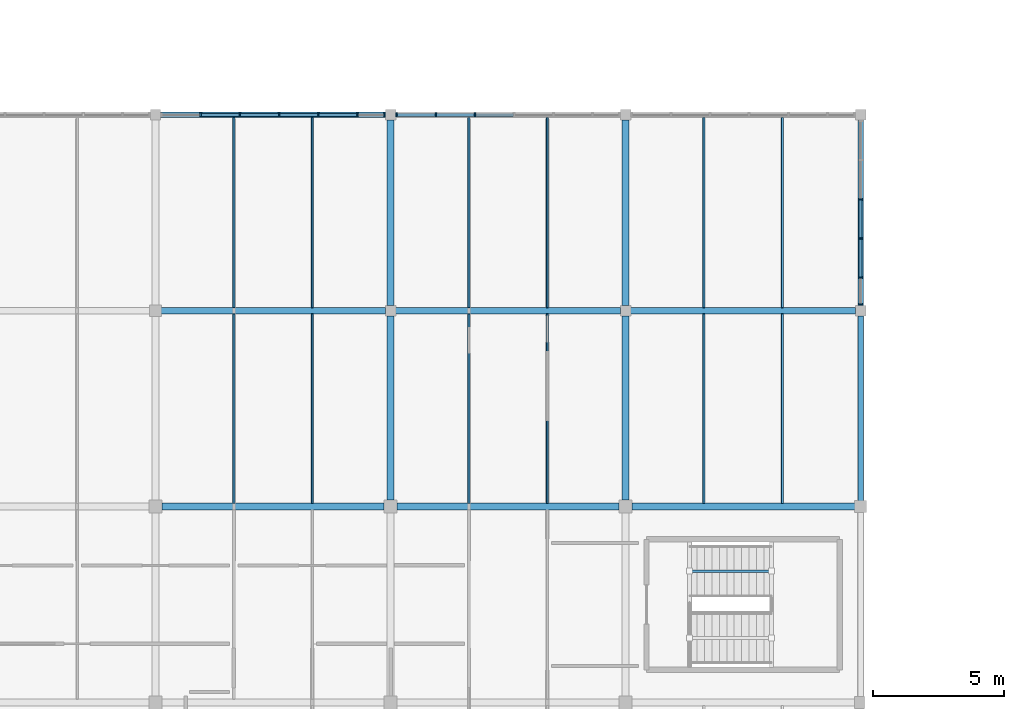
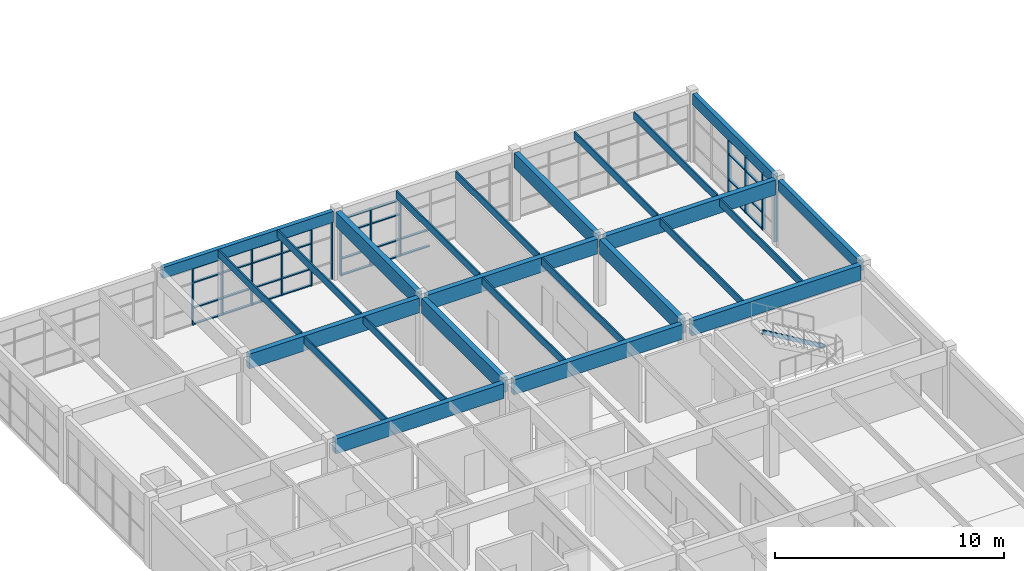
# One storey, part 35 of 81: 48 members, 25 beams, 3 elements without a shape of their own.
"""IFC4 building model written with IfcOpenShell, lengths in metres."""

from ifc_helpers import new_model, si_unit, direction, frame, origin, origin_2d, place, context, subcontext, project, spatial, rectangle, hollow_rectangle, extrude, material, layer, layer_set, material_profile, profile_set, type_object, element, aggregate, save


model = new_model("IFC4")

# Units and contexts
model_context = context("Model", 3, precision=1e-05, world=origin(), true_north=direction((0.0, 1.0)))
body_context = subcontext(model_context, "Body", "Model", "MODEL_VIEW")
ifc_project = project(units=[si_unit("LENGTHUNIT", "METRE"), si_unit("AREAUNIT", "SQUARE_METRE"), si_unit("VOLUMEUNIT", "CUBIC_METRE"), si_unit("PLANEANGLEUNIT", "RADIAN"), si_unit("MASSUNIT", "GRAM", prefix="KILO")], contexts=[model_context])

# Site, building, storey
site_placement = place(None, origin())
site = spatial("IfcSite", under=ifc_project, at=site_placement, CompositionType="ELEMENT")
building_placement = place(site_placement, origin())
building = spatial("IfcBuilding", under=site, at=building_placement, Name="Marnridge Secondary College", CompositionType="ELEMENT")
storey_placement = place(building_placement, frame((0.0, 0.0, 8.5)))
storey = spatial("IfcBuildingStorey", under=building, at=storey_placement, Name="L02", CompositionType="ELEMENT", Elevation=8.5)

# Beams
ifc_material_1 = material(Name="Glulam timber GL18", Category="wood")
ifc_material_profile_1 = material_profile(ifc_material_1, rectangle(XDim=0.215087890625, YDim=0.5849609375, at=origin_2d()), Name="GL18 215x585")
ifc_profile_set_1 = profile_set([ifc_material_profile_1], Name="Glulam timber GL18")
beam_type_1 = type_object("IfcBeamType", Name="BM-GL585-EXT", PredefinedType="SPANDREL", material=ifc_profile_set_1)
beam_1_placement = place(storey_placement, frame((90.0, 67.718994140625, 3.277587890625), z_axis=(0.0, 1.0, 0.0), x_axis=(-1.0, 0.0, 0.0)))
element("IfcBeam", 1, at=beam_1_placement, inside=storey, type_object=beam_type_1, Name="Beam BS-L02-0795", PredefinedType="SPANDREL", context=body_context, shape_type="SweptSolid", body=[
    extrude(rectangle(XDim=0.215087890625, YDim=0.5849609375, at=origin_2d()), origin(), (0.0, 0.0, 1.0), 7.0869140625),
])
beam_2_placement = place(storey_placement, frame((63.194091796875, 82.5, 3.347412109375), z_axis=(1.0, 0.0, 0.0), x_axis=(0.0, 1.0, 0.0)))
element("IfcBeam", 2, at=beam_2_placement, inside=storey, type_object=beam_type_1, Name="Beam BS-L02-0808", PredefinedType="SPANDREL", context=body_context, shape_type="SweptSolid", body=[
    extrude(rectangle(XDim=0.215087890625, YDim=0.5849609375, at=origin_2d()), origin(), (0.0, 0.0, 1.0), 8.61181640625),
])
beam_3_placement = place(storey_placement, frame((90.0, 75.194091796875, 3.347412109375), z_axis=(0.0, 1.0, 0.0), x_axis=(-1.0, 0.0, 0.0)))
element("IfcBeam", 3, at=beam_3_placement, inside=storey, type_object=beam_type_1, Name="Beam BS-L02-0813", PredefinedType="SPANDREL", context=body_context, shape_type="SweptSolid", body=[
    extrude(rectangle(XDim=0.215087890625, YDim=0.5849609375, at=origin_2d()), origin(), (0.0, 0.0, 1.0), 7.11181640625),
])
ifc_material_2 = material(Name="Glulam timber GL18", Category="wood")
ifc_material_profile_2 = material_profile(ifc_material_2, rectangle(XDim=0.260009765625, YDim=0.7900390625, at=origin_2d()), Name="GL18 260x790")
ifc_profile_set_2 = profile_set([ifc_material_profile_2], Name="Glulam timber GL18")
beam_type_2 = type_object("IfcBeamType", Name="BM-GL790-INT", PredefinedType="BEAM", material=ifc_profile_set_2)
beam_4_placement = place(storey_placement, frame((63.243896484375, 67.5, 3.175048828125), z_axis=(1.0, 0.0, 0.0), x_axis=(0.0, 1.0, 0.0)))
element("IfcBeam", 4, at=beam_4_placement, inside=storey, type_object=beam_type_2, Name="Beam B-L02-0774", PredefinedType="BEAM", context=body_context, shape_type="SweptSolid", body=[
    extrude(rectangle(XDim=0.260009765625, YDim=0.7900390625, at=origin_2d()), origin(), (0.0, 0.0, 1.0), 8.51220703125),
])
beam_5_placement = place(storey_placement, frame((63.218994140625, 75.0, 3.175048828125), z_axis=(1.0, 0.0, 0.0), x_axis=(0.0, 1.0, 0.0)))
element("IfcBeam", 5, at=beam_5_placement, inside=storey, type_object=beam_type_2, Name="Beam B-L02-0776", PredefinedType="BEAM", context=body_context, shape_type="SweptSolid", body=[
    extrude(rectangle(XDim=0.260009765625, YDim=0.7900390625, at=origin_2d()), origin(), (0.0, 0.0, 1.0), 8.5869140625),
])
beam_6_placement = place(storey_placement, frame((72.0, 67.743896484375, 3.175048828125), z_axis=(0.0, 1.0, 0.0), x_axis=(-1.0, 0.0, 0.0)))
element("IfcBeam", 6, at=beam_6_placement, inside=storey, type_object=beam_type_2, Name="Beam B-L02-0777", PredefinedType="BEAM", context=body_context, shape_type="SweptSolid", body=[
    extrude(rectangle(XDim=0.260009765625, YDim=0.7900390625, at=origin_2d()), origin(), (0.0, 0.0, 1.0), 7.06201171875),
])
beam_7_placement = place(storey_placement, frame((72.243896484375, 67.5, 3.175048828125), z_axis=(1.0, 0.0, 0.0), x_axis=(0.0, 1.0, 0.0)))
element("IfcBeam", 7, at=beam_7_placement, inside=storey, type_object=beam_type_2, Name="Beam B-L02-0783", PredefinedType="BEAM", context=body_context, shape_type="SweptSolid", body=[
    extrude(rectangle(XDim=0.260009765625, YDim=0.7900390625, at=origin_2d()), origin(), (0.0, 0.0, 1.0), 8.51220703125),
])
beam_8_placement = place(storey_placement, frame((72.194091796875, 75.0, 3.175048828125), z_axis=(1.0, 0.0, 0.0), x_axis=(0.0, 1.0, 0.0)))
element("IfcBeam", 8, at=beam_8_placement, inside=storey, type_object=beam_type_2, Name="Beam B-L02-0785", PredefinedType="BEAM", context=body_context, shape_type="SweptSolid", body=[
    extrude(rectangle(XDim=0.260009765625, YDim=0.7900390625, at=origin_2d()), origin(), (0.0, 0.0, 1.0), 8.61181640625),
])
beam_9_placement = place(storey_placement, frame((81.0, 67.743896484375, 3.175048828125), z_axis=(0.0, 1.0, 0.0), x_axis=(-1.0, 0.0, 0.0)))
element("IfcBeam", 9, at=beam_9_placement, inside=storey, type_object=beam_type_2, Name="Beam B-L02-0786", PredefinedType="BEAM", context=body_context, shape_type="SweptSolid", body=[
    extrude(rectangle(XDim=0.260009765625, YDim=0.7900390625, at=origin_2d()), origin(), (0.0, 0.0, 1.0), 7.06201171875),
])
beam_10_placement = place(storey_placement, frame((81.243896484375, 67.5, 3.175048828125), z_axis=(1.0, 0.0, 0.0), x_axis=(0.0, 1.0, 0.0)))
element("IfcBeam", 10, at=beam_10_placement, inside=storey, type_object=beam_type_2, Name="Beam B-L02-0792", PredefinedType="BEAM", context=body_context, shape_type="SweptSolid", body=[
    extrude(rectangle(XDim=0.260009765625, YDim=0.7900390625, at=origin_2d()), origin(), (0.0, 0.0, 1.0), 8.537109375),
])
beam_11_placement = place(storey_placement, frame((81.194091796875, 75.0, 3.175048828125), z_axis=(1.0, 0.0, 0.0), x_axis=(0.0, 1.0, 0.0)))
element("IfcBeam", 11, at=beam_11_placement, inside=storey, type_object=beam_type_2, Name="Beam B-L02-0794", PredefinedType="BEAM", context=body_context, shape_type="SweptSolid", body=[
    extrude(rectangle(XDim=0.260009765625, YDim=0.7900390625, at=origin_2d()), origin(), (0.0, 0.0, 1.0), 8.61181640625),
])
for number, where, z_axis, x_axis, name in (
    (12, (72.0, 75.194091796875, 3.2451171875), (0.0, 1.0, 0.0), (-1.0, 0.0, 0.0), "Beam B-L02-0809"),
    (13, (81.0, 75.194091796875, 3.2451171875), (0.0, 1.0, 0.0), (-1.0, 0.0, 0.0), "Beam B-L02-0811"),
):
    element("IfcBeam", number, at=place(storey_placement, frame(where, z_axis=z_axis, x_axis=x_axis)), inside=storey, type_object=beam_type_2, Name=name, PredefinedType="BEAM", context=body_context, shape_type="SweptSolid", body=[
        extrude(rectangle(XDim=0.260009765625, YDim=0.7900390625, at=origin_2d()), origin(), (0.0, 0.0, 1.0), 7.11181640625),
    ])
ifc_material_3 = material(Name="Engineered timber LVL E13.2", Category="wood")
ifc_material_profile_3 = material_profile(ifc_material_3, rectangle(XDim=0.074951171875, YDim=0.39990234375, at=origin_2d()), Name="LVL 75x400")
ifc_profile_set_3 = profile_set([ifc_material_profile_3], Name="Engineered timber LVL E13.2")
beam_type_3 = type_object("IfcBeamType", Name="BM-LVL400-INT", PredefinedType="JOIST", material=ifc_profile_set_3)
for number, where, z_axis, x_axis, name in (
    (14, (66.0, 67.6240234375, 3.3701171875), (0.0, 1.0, 0.0), (-1.0, 0.0, 0.0), "Beam BJ-L02-0825"),
    (15, (69.0, 67.6240234375, 3.3701171875), (0.0, 1.0, 0.0), (-1.0, 0.0, 0.0), "Beam BJ-L02-0826"),
    (16, (75.0, 67.6240234375, 3.3701171875), (0.0, 1.0, 0.0), (-1.0, 0.0, 0.0), "Beam BJ-L02-0833"),
    (17, (78.0, 67.6240234375, 3.3701171875), (0.0, 1.0, 0.0), (-1.0, 0.0, 0.0), "Beam BJ-L02-0834"),
    (18, (84.0, 67.6240234375, 3.3701171875), (0.0, 1.0, 0.0), (-1.0, 0.0, 0.0), "Beam BJ-L02-0839"),
    (19, (87.0, 67.6240234375, 3.3701171875), (0.0, 1.0, 0.0), (-1.0, 0.0, 0.0), "Beam BJ-L02-0840"),
):
    element("IfcBeam", number, at=place(storey_placement, frame(where, z_axis=z_axis, x_axis=x_axis)), inside=storey, type_object=beam_type_3, Name=name, PredefinedType="JOIST", context=body_context, shape_type="SweptSolid", body=[
        extrude(rectangle(XDim=0.074951171875, YDim=0.39990234375, at=origin_2d()), origin(), (0.0, 0.0, 1.0), 7.251953125),
    ])
for number, where, z_axis, x_axis, name in (
    (20, (66.0, 75.1240234375, 3.43994140625), (0.0, 1.0, 0.0), (-1.0, 0.0, 0.0), "Beam BJ-L02-0851"),
    (21, (69.0, 75.1240234375, 3.43994140625), (0.0, 1.0, 0.0), (-1.0, 0.0, 0.0), "Beam BJ-L02-0852"),
    (22, (75.0, 75.1240234375, 3.43994140625), (0.0, 1.0, 0.0), (-1.0, 0.0, 0.0), "Beam BJ-L02-0853"),
    (23, (78.0, 75.1240234375, 3.43994140625), (0.0, 1.0, 0.0), (-1.0, 0.0, 0.0), "Beam BJ-L02-0854"),
    (24, (84.0, 75.1240234375, 3.43994140625), (0.0, 1.0, 0.0), (-1.0, 0.0, 0.0), "Beam BJ-L02-0855"),
    (25, (87.0, 75.1240234375, 3.43994140625), (0.0, 1.0, 0.0), (-1.0, 0.0, 0.0), "Beam BJ-L02-0856"),
):
    element("IfcBeam", number, at=place(storey_placement, frame(where, z_axis=z_axis, x_axis=x_axis)), inside=storey, type_object=beam_type_3, Name=name, PredefinedType="JOIST", context=body_context, shape_type="SweptSolid", body=[
        extrude(rectangle(XDim=0.074951171875, YDim=0.39990234375, at=origin_2d()), origin(), (0.0, 0.0, 1.0), 7.2744140625),
    ])

# Curtain wall, members
ifc_material_4 = material(Name="Thermally broken aluminium and low-E glazing", Category="aluminium")
ifc_layer = layer(ifc_material_4, 0.159912109375)
ifc_layer_set = layer_set([ifc_layer], Name="CW-MOD-1500")
curtain_wall_type = type_object("IfcCurtainWallType", Name="CW-MOD-1500", PredefinedType="NOTDEFINED", material=ifc_layer_set)
curtain_wall_1_placement = place(storey_placement, origin())
curtain_wall_1 = element("IfcCurtainWall", 26, at=curtain_wall_1_placement, inside=storey, type_object=curtain_wall_type, Name="Unitised curtain wall CW-L02-074", PredefinedType="NOTDEFINED")
ifc_material_5 = material(Name="Anodised aluminium 6063-T6", Category="aluminium")
ifc_material_profile_4 = material_profile(ifc_material_5, rectangle(XDim=0.06005859375, YDim=0.159912109375, at=origin_2d()), Name="ALU 60x160")
ifc_profile_set_4 = profile_set([ifc_material_profile_4], Name="Anodised aluminium 6063-T6")
member_type_1 = type_object("IfcMemberType", Name="CWM-ALU160", PredefinedType="MULLION", material=ifc_profile_set_4)
member_1_placement = place(storey_placement, frame((64.73388671875, 82.5, 0.0), z_axis=(0.0, 0.0, 1.0), x_axis=(1.0, 0.0, 0.0)))
member_1 = element("IfcMember", 27, at=member_1_placement, type_object=member_type_1, Name="CW-L02-074 mullion 2", PredefinedType="MULLION", context=body_context, shape_type="SweptSolid", body=[
    extrude(rectangle(XDim=0.06005859375, YDim=0.159912109375, at=origin_2d()), origin(), (0.0, 0.0, 1.0), 3.047119140625),
])
member_2_placement = place(storey_placement, frame((66.23388671875, 82.5, 0.0), z_axis=(0.0, 0.0, 1.0), x_axis=(1.0, 0.0, 0.0)))
member_2 = element("IfcMember", 28, at=member_2_placement, type_object=member_type_1, Name="CW-L02-074 mullion 3", PredefinedType="MULLION", context=body_context, shape_type="SweptSolid", body=[
    extrude(rectangle(XDim=0.06005859375, YDim=0.159912109375, at=origin_2d()), origin(), (0.0, 0.0, 1.0), 3.047119140625),
])
member_3_placement = place(storey_placement, frame((67.73388671875, 82.5, 0.0), z_axis=(0.0, 0.0, 1.0), x_axis=(1.0, 0.0, 0.0)))
member_3 = element("IfcMember", 29, at=member_3_placement, type_object=member_type_1, Name="CW-L02-074 mullion 4", PredefinedType="MULLION", context=body_context, shape_type="SweptSolid", body=[
    extrude(rectangle(XDim=0.06005859375, YDim=0.159912109375, at=origin_2d()), origin(), (0.0, 0.0, 1.0), 3.047119140625),
])
member_4_placement = place(storey_placement, frame((69.23388671875, 82.5, 0.0), z_axis=(0.0, 0.0, 1.0), x_axis=(1.0, 0.0, 0.0)))
member_4 = element("IfcMember", 30, at=member_4_placement, type_object=member_type_1, Name="CW-L02-074 mullion 5", PredefinedType="MULLION", context=body_context, shape_type="SweptSolid", body=[
    extrude(rectangle(XDim=0.06005859375, YDim=0.159912109375, at=origin_2d()), origin(), (0.0, 0.0, 1.0), 3.047119140625),
])
member_5_placement = place(storey_placement, frame((70.73388671875, 82.5, 0.0), z_axis=(0.0, 0.0, 1.0), x_axis=(1.0, 0.0, 0.0)))
member_5 = element("IfcMember", 31, at=member_5_placement, type_object=member_type_1, Name="CW-L02-074 mullion 6", PredefinedType="MULLION", context=body_context, shape_type="SweptSolid", body=[
    extrude(rectangle(XDim=0.06005859375, YDim=0.159912109375, at=origin_2d()), origin(), (0.0, 0.0, 1.0), 3.047119140625),
])
member_6_placement = place(storey_placement, frame((71.76611328125, 82.5, 0.0), z_axis=(0.0, 0.0, 1.0), x_axis=(1.0, 0.0, 0.0)))
member_6 = element("IfcMember", 32, at=member_6_placement, type_object=member_type_1, Name="CW-L02-074 mullion 7", PredefinedType="MULLION", context=body_context, shape_type="SweptSolid", body=[
    extrude(rectangle(XDim=0.06005859375, YDim=0.159912109375, at=origin_2d()), origin(), (0.0, 0.0, 1.0), 3.047119140625),
])

curtain_wall_2_placement = place(storey_placement, origin())
curtain_wall_2 = element("IfcCurtainWall", 33, at=curtain_wall_2_placement, inside=storey, type_object=curtain_wall_type, Name="Unitised curtain wall CW-L02-075", PredefinedType="NOTDEFINED")
member_7_placement = place(storey_placement, frame((72.23388671875, 82.5, 0.0), z_axis=(0.0, 0.0, 1.0), x_axis=(1.0, 0.0, 0.0)))
member_7 = element("IfcMember", 34, at=member_7_placement, type_object=member_type_1, Name="CW-L02-075 mullion 1", PredefinedType="MULLION", context=body_context, shape_type="SweptSolid", body=[
    extrude(rectangle(XDim=0.06005859375, YDim=0.159912109375, at=origin_2d()), origin(), (0.0, 0.0, 1.0), 3.047119140625),
])
member_8_placement = place(storey_placement, frame((73.73388671875, 82.5, 0.0), z_axis=(0.0, 0.0, 1.0), x_axis=(1.0, 0.0, 0.0)))
member_8 = element("IfcMember", 35, at=member_8_placement, type_object=member_type_1, Name="CW-L02-075 mullion 2", PredefinedType="MULLION", context=body_context, shape_type="SweptSolid", body=[
    extrude(rectangle(XDim=0.06005859375, YDim=0.159912109375, at=origin_2d()), origin(), (0.0, 0.0, 1.0), 3.047119140625),
])
member_9_placement = place(storey_placement, frame((75.23388671875, 82.5, 0.0), z_axis=(0.0, 0.0, 1.0), x_axis=(1.0, 0.0, 0.0)))
member_9 = element("IfcMember", 36, at=member_9_placement, type_object=member_type_1, Name="CW-L02-075 mullion 3", PredefinedType="MULLION", context=body_context, shape_type="SweptSolid", body=[
    extrude(rectangle(XDim=0.06005859375, YDim=0.159912109375, at=origin_2d()), origin(), (0.0, 0.0, 1.0), 3.047119140625),
])

curtain_wall_3_placement = place(storey_placement, origin())
curtain_wall_3 = element("IfcCurtainWall", 37, at=curtain_wall_3_placement, inside=storey, type_object=curtain_wall_type, Name="Unitised curtain wall CW-L02-077", PredefinedType="NOTDEFINED")
member_10_placement = place(storey_placement, frame((90.0, 79.26611328125, 0.0), z_axis=(0.0, 0.0, 1.0), x_axis=(0.0, -1.0, 0.0)))
member_10 = element("IfcMember", 38, at=member_10_placement, type_object=member_type_1, Name="CW-L02-077 mullion 3", PredefinedType="MULLION", context=body_context, shape_type="SweptSolid", body=[
    extrude(rectangle(XDim=0.06005859375, YDim=0.159912109375, at=origin_2d()), origin(), (0.0, 0.0, 1.0), 3.047119140625),
])
member_11_placement = place(storey_placement, frame((90.0, 77.76611328125, 0.0), z_axis=(0.0, 0.0, 1.0), x_axis=(0.0, -1.0, 0.0)))
member_11 = element("IfcMember", 39, at=member_11_placement, type_object=member_type_1, Name="CW-L02-077 mullion 4", PredefinedType="MULLION", context=body_context, shape_type="SweptSolid", body=[
    extrude(rectangle(XDim=0.06005859375, YDim=0.159912109375, at=origin_2d()), origin(), (0.0, 0.0, 1.0), 3.047119140625),
])
member_12_placement = place(storey_placement, frame((90.0, 76.26611328125, 0.0), z_axis=(0.0, 0.0, 1.0), x_axis=(0.0, -1.0, 0.0)))
member_12 = element("IfcMember", 40, at=member_12_placement, type_object=member_type_1, Name="CW-L02-077 mullion 5", PredefinedType="MULLION", context=body_context, shape_type="SweptSolid", body=[
    extrude(rectangle(XDim=0.06005859375, YDim=0.159912109375, at=origin_2d()), origin(), (0.0, 0.0, 1.0), 3.047119140625),
])
member_13_placement = place(storey_placement, frame((90.0, 75.23388671875, 0.0), z_axis=(0.0, 0.0, 1.0), x_axis=(0.0, -1.0, 0.0)))
member_13 = element("IfcMember", 41, at=member_13_placement, type_object=member_type_1, Name="CW-L02-077 mullion 6", PredefinedType="MULLION", context=body_context, shape_type="SweptSolid", body=[
    extrude(rectangle(XDim=0.06005859375, YDim=0.159912109375, at=origin_2d()), origin(), (0.0, 0.0, 1.0), 3.047119140625),
])

# Member
ifc_material_6 = material(Name="Anodised aluminium 6063-T6", Category="aluminium")
ifc_material_profile_5 = material_profile(ifc_material_6, rectangle(XDim=0.06005859375, YDim=0.1201171875, at=origin_2d()), Name="ALU 60x120")
ifc_profile_set_5 = profile_set([ifc_material_profile_5], Name="Anodised aluminium 6063-T6")
member_type_2 = type_object("IfcMemberType", Name="CWT-ALU120", PredefinedType="USERDEFINED", material=ifc_profile_set_5)
member_14_placement = place(storey_placement, frame((64.763916015625, 82.5, 0.030029296875), z_axis=(1.0, 0.0, 0.0), x_axis=(0.0, 0.0, 1.0)))
member_14 = element("IfcMember", 42, at=member_14_placement, type_object=member_type_2, Name="CW-L02-074 transom 2.1", ObjectType="TRANSOM", PredefinedType="USERDEFINED", context=body_context, shape_type="SweptSolid", body=[
    extrude(rectangle(XDim=0.06005859375, YDim=0.1201171875, at=origin_2d()), origin(), (0.0, 0.0, 1.0), 1.440185546875),
])

member_15_placement = place(storey_placement, frame((64.763916015625, 82.5, 0.89990234375), z_axis=(1.0, 0.0, 0.0), x_axis=(0.0, 0.0, 1.0)))
member_15 = element("IfcMember", 43, at=member_15_placement, type_object=member_type_2, Name="CW-L02-074 transom 2.2", ObjectType="TRANSOM", PredefinedType="USERDEFINED", context=body_context, shape_type="SweptSolid", body=[
    extrude(rectangle(XDim=0.06005859375, YDim=0.1201171875, at=origin_2d()), origin(), (0.0, 0.0, 1.0), 1.440185546875),
])

member_16_placement = place(storey_placement, frame((64.763916015625, 82.5, 2.25), z_axis=(1.0, 0.0, 0.0), x_axis=(0.0, 0.0, 1.0)))
member_16 = element("IfcMember", 44, at=member_16_placement, type_object=member_type_2, Name="CW-L02-074 transom 2.3", ObjectType="TRANSOM", PredefinedType="USERDEFINED", context=body_context, shape_type="SweptSolid", body=[
    extrude(rectangle(XDim=0.06005859375, YDim=0.1201171875, at=origin_2d()), origin(), (0.0, 0.0, 1.0), 1.440185546875),
])

member_17_placement = place(storey_placement, frame((64.763916015625, 82.5, 3.01708984375), z_axis=(1.0, 0.0, 0.0), x_axis=(0.0, 0.0, 1.0)))
member_17 = element("IfcMember", 45, at=member_17_placement, type_object=member_type_2, Name="CW-L02-074 transom 2.4", ObjectType="TRANSOM", PredefinedType="USERDEFINED", context=body_context, shape_type="SweptSolid", body=[
    extrude(rectangle(XDim=0.06005859375, YDim=0.1201171875, at=origin_2d()), origin(), (0.0, 0.0, 1.0), 1.440185546875),
])

member_18_placement = place(storey_placement, frame((66.263916015625, 82.5, 0.030029296875), z_axis=(1.0, 0.0, 0.0), x_axis=(0.0, 0.0, 1.0)))
member_18 = element("IfcMember", 46, at=member_18_placement, type_object=member_type_2, Name="CW-L02-074 transom 3.1", ObjectType="TRANSOM", PredefinedType="USERDEFINED", context=body_context, shape_type="SweptSolid", body=[
    extrude(rectangle(XDim=0.06005859375, YDim=0.1201171875, at=origin_2d()), origin(), (0.0, 0.0, 1.0), 1.440185546875),
])

member_19_placement = place(storey_placement, frame((66.263916015625, 82.5, 0.89990234375), z_axis=(1.0, 0.0, 0.0), x_axis=(0.0, 0.0, 1.0)))
member_19 = element("IfcMember", 47, at=member_19_placement, type_object=member_type_2, Name="CW-L02-074 transom 3.2", ObjectType="TRANSOM", PredefinedType="USERDEFINED", context=body_context, shape_type="SweptSolid", body=[
    extrude(rectangle(XDim=0.06005859375, YDim=0.1201171875, at=origin_2d()), origin(), (0.0, 0.0, 1.0), 1.440185546875),
])

member_20_placement = place(storey_placement, frame((66.263916015625, 82.5, 2.25), z_axis=(1.0, 0.0, 0.0), x_axis=(0.0, 0.0, 1.0)))
member_20 = element("IfcMember", 48, at=member_20_placement, type_object=member_type_2, Name="CW-L02-074 transom 3.3", ObjectType="TRANSOM", PredefinedType="USERDEFINED", context=body_context, shape_type="SweptSolid", body=[
    extrude(rectangle(XDim=0.06005859375, YDim=0.1201171875, at=origin_2d()), origin(), (0.0, 0.0, 1.0), 1.440185546875),
])

member_21_placement = place(storey_placement, frame((66.263916015625, 82.5, 3.01708984375), z_axis=(1.0, 0.0, 0.0), x_axis=(0.0, 0.0, 1.0)))
member_21 = element("IfcMember", 49, at=member_21_placement, type_object=member_type_2, Name="CW-L02-074 transom 3.4", ObjectType="TRANSOM", PredefinedType="USERDEFINED", context=body_context, shape_type="SweptSolid", body=[
    extrude(rectangle(XDim=0.06005859375, YDim=0.1201171875, at=origin_2d()), origin(), (0.0, 0.0, 1.0), 1.440185546875),
])

member_22_placement = place(storey_placement, frame((67.763916015625, 82.5, 0.030029296875), z_axis=(1.0, 0.0, 0.0), x_axis=(0.0, 0.0, 1.0)))
member_22 = element("IfcMember", 50, at=member_22_placement, type_object=member_type_2, Name="CW-L02-074 transom 4.1", ObjectType="TRANSOM", PredefinedType="USERDEFINED", context=body_context, shape_type="SweptSolid", body=[
    extrude(rectangle(XDim=0.06005859375, YDim=0.1201171875, at=origin_2d()), origin(), (0.0, 0.0, 1.0), 1.440185546875),
])

member_23_placement = place(storey_placement, frame((67.763916015625, 82.5, 0.89990234375), z_axis=(1.0, 0.0, 0.0), x_axis=(0.0, 0.0, 1.0)))
member_23 = element("IfcMember", 51, at=member_23_placement, type_object=member_type_2, Name="CW-L02-074 transom 4.2", ObjectType="TRANSOM", PredefinedType="USERDEFINED", context=body_context, shape_type="SweptSolid", body=[
    extrude(rectangle(XDim=0.06005859375, YDim=0.1201171875, at=origin_2d()), origin(), (0.0, 0.0, 1.0), 1.440185546875),
])

member_24_placement = place(storey_placement, frame((67.763916015625, 82.5, 2.25), z_axis=(1.0, 0.0, 0.0), x_axis=(0.0, 0.0, 1.0)))
member_24 = element("IfcMember", 52, at=member_24_placement, type_object=member_type_2, Name="CW-L02-074 transom 4.3", ObjectType="TRANSOM", PredefinedType="USERDEFINED", context=body_context, shape_type="SweptSolid", body=[
    extrude(rectangle(XDim=0.06005859375, YDim=0.1201171875, at=origin_2d()), origin(), (0.0, 0.0, 1.0), 1.440185546875),
])

member_25_placement = place(storey_placement, frame((67.763916015625, 82.5, 3.01708984375), z_axis=(1.0, 0.0, 0.0), x_axis=(0.0, 0.0, 1.0)))
member_25 = element("IfcMember", 53, at=member_25_placement, type_object=member_type_2, Name="CW-L02-074 transom 4.4", ObjectType="TRANSOM", PredefinedType="USERDEFINED", context=body_context, shape_type="SweptSolid", body=[
    extrude(rectangle(XDim=0.06005859375, YDim=0.1201171875, at=origin_2d()), origin(), (0.0, 0.0, 1.0), 1.440185546875),
])

member_26_placement = place(storey_placement, frame((69.263916015625, 82.5, 0.030029296875), z_axis=(1.0, 0.0, 0.0), x_axis=(0.0, 0.0, 1.0)))
member_26 = element("IfcMember", 54, at=member_26_placement, type_object=member_type_2, Name="CW-L02-074 transom 5.1", ObjectType="TRANSOM", PredefinedType="USERDEFINED", context=body_context, shape_type="SweptSolid", body=[
    extrude(rectangle(XDim=0.06005859375, YDim=0.1201171875, at=origin_2d()), origin(), (0.0, 0.0, 1.0), 1.440185546875),
])

member_27_placement = place(storey_placement, frame((69.263916015625, 82.5, 0.89990234375), z_axis=(1.0, 0.0, 0.0), x_axis=(0.0, 0.0, 1.0)))
member_27 = element("IfcMember", 55, at=member_27_placement, type_object=member_type_2, Name="CW-L02-074 transom 5.2", ObjectType="TRANSOM", PredefinedType="USERDEFINED", context=body_context, shape_type="SweptSolid", body=[
    extrude(rectangle(XDim=0.06005859375, YDim=0.1201171875, at=origin_2d()), origin(), (0.0, 0.0, 1.0), 1.440185546875),
])

member_28_placement = place(storey_placement, frame((69.263916015625, 82.5, 2.25), z_axis=(1.0, 0.0, 0.0), x_axis=(0.0, 0.0, 1.0)))
member_28 = element("IfcMember", 56, at=member_28_placement, type_object=member_type_2, Name="CW-L02-074 transom 5.3", ObjectType="TRANSOM", PredefinedType="USERDEFINED", context=body_context, shape_type="SweptSolid", body=[
    extrude(rectangle(XDim=0.06005859375, YDim=0.1201171875, at=origin_2d()), origin(), (0.0, 0.0, 1.0), 1.440185546875),
])

member_29_placement = place(storey_placement, frame((69.263916015625, 82.5, 3.01708984375), z_axis=(1.0, 0.0, 0.0), x_axis=(0.0, 0.0, 1.0)))
member_29 = element("IfcMember", 57, at=member_29_placement, type_object=member_type_2, Name="CW-L02-074 transom 5.4", ObjectType="TRANSOM", PredefinedType="USERDEFINED", context=body_context, shape_type="SweptSolid", body=[
    extrude(rectangle(XDim=0.06005859375, YDim=0.1201171875, at=origin_2d()), origin(), (0.0, 0.0, 1.0), 1.440185546875),
])

aggregate(curtain_wall_1, [member_1, member_2, member_3, member_4, member_5, member_6, member_14, member_15, member_16, member_17, member_18, member_19, member_20, member_21, member_22, member_23, member_24, member_25, member_26, member_27, member_28, member_29])

member_30_placement = place(storey_placement, frame((72.263916015625, 82.5, 0.030029296875), z_axis=(1.0, 0.0, 0.0), x_axis=(0.0, 0.0, 1.0)))
member_30 = element("IfcMember", 58, at=member_30_placement, type_object=member_type_2, Name="CW-L02-075 transom 1.1", ObjectType="TRANSOM", PredefinedType="USERDEFINED", context=body_context, shape_type="SweptSolid", body=[
    extrude(rectangle(XDim=0.06005859375, YDim=0.1201171875, at=origin_2d()), origin(), (0.0, 0.0, 1.0), 1.440185546875),
])

member_31_placement = place(storey_placement, frame((72.263916015625, 82.5, 0.89990234375), z_axis=(1.0, 0.0, 0.0), x_axis=(0.0, 0.0, 1.0)))
member_31 = element("IfcMember", 59, at=member_31_placement, type_object=member_type_2, Name="CW-L02-075 transom 1.2", ObjectType="TRANSOM", PredefinedType="USERDEFINED", context=body_context, shape_type="SweptSolid", body=[
    extrude(rectangle(XDim=0.06005859375, YDim=0.1201171875, at=origin_2d()), origin(), (0.0, 0.0, 1.0), 1.440185546875),
])

member_32_placement = place(storey_placement, frame((72.263916015625, 82.5, 2.25), z_axis=(1.0, 0.0, 0.0), x_axis=(0.0, 0.0, 1.0)))
member_32 = element("IfcMember", 60, at=member_32_placement, type_object=member_type_2, Name="CW-L02-075 transom 1.3", ObjectType="TRANSOM", PredefinedType="USERDEFINED", context=body_context, shape_type="SweptSolid", body=[
    extrude(rectangle(XDim=0.06005859375, YDim=0.1201171875, at=origin_2d()), origin(), (0.0, 0.0, 1.0), 1.440185546875),
])

member_33_placement = place(storey_placement, frame((72.263916015625, 82.5, 3.01708984375), z_axis=(1.0, 0.0, 0.0), x_axis=(0.0, 0.0, 1.0)))
member_33 = element("IfcMember", 61, at=member_33_placement, type_object=member_type_2, Name="CW-L02-075 transom 1.4", ObjectType="TRANSOM", PredefinedType="USERDEFINED", context=body_context, shape_type="SweptSolid", body=[
    extrude(rectangle(XDim=0.06005859375, YDim=0.1201171875, at=origin_2d()), origin(), (0.0, 0.0, 1.0), 1.440185546875),
])

member_34_placement = place(storey_placement, frame((73.763916015625, 82.5, 0.030029296875), z_axis=(1.0, 0.0, 0.0), x_axis=(0.0, 0.0, 1.0)))
member_34 = element("IfcMember", 62, at=member_34_placement, type_object=member_type_2, Name="CW-L02-075 transom 2.1", ObjectType="TRANSOM", PredefinedType="USERDEFINED", context=body_context, shape_type="SweptSolid", body=[
    extrude(rectangle(XDim=0.06005859375, YDim=0.1201171875, at=origin_2d()), origin(), (0.0, 0.0, 1.0), 1.440185546875),
])

member_35_placement = place(storey_placement, frame((73.763916015625, 82.5, 0.89990234375), z_axis=(1.0, 0.0, 0.0), x_axis=(0.0, 0.0, 1.0)))
member_35 = element("IfcMember", 63, at=member_35_placement, type_object=member_type_2, Name="CW-L02-075 transom 2.2", ObjectType="TRANSOM", PredefinedType="USERDEFINED", context=body_context, shape_type="SweptSolid", body=[
    extrude(rectangle(XDim=0.06005859375, YDim=0.1201171875, at=origin_2d()), origin(), (0.0, 0.0, 1.0), 1.440185546875),
])

member_36_placement = place(storey_placement, frame((73.763916015625, 82.5, 2.25), z_axis=(1.0, 0.0, 0.0), x_axis=(0.0, 0.0, 1.0)))
member_36 = element("IfcMember", 64, at=member_36_placement, type_object=member_type_2, Name="CW-L02-075 transom 2.3", ObjectType="TRANSOM", PredefinedType="USERDEFINED", context=body_context, shape_type="SweptSolid", body=[
    extrude(rectangle(XDim=0.06005859375, YDim=0.1201171875, at=origin_2d()), origin(), (0.0, 0.0, 1.0), 1.440185546875),
])

member_37_placement = place(storey_placement, frame((73.763916015625, 82.5, 3.01708984375), z_axis=(1.0, 0.0, 0.0), x_axis=(0.0, 0.0, 1.0)))
member_37 = element("IfcMember", 65, at=member_37_placement, type_object=member_type_2, Name="CW-L02-075 transom 2.4", ObjectType="TRANSOM", PredefinedType="USERDEFINED", context=body_context, shape_type="SweptSolid", body=[
    extrude(rectangle(XDim=0.06005859375, YDim=0.1201171875, at=origin_2d()), origin(), (0.0, 0.0, 1.0), 1.440185546875),
])

member_38_placement = place(storey_placement, frame((75.263916015625, 82.5, 0.030029296875), z_axis=(1.0, 0.0, 0.0), x_axis=(0.0, 0.0, 1.0)))
member_38 = element("IfcMember", 66, at=member_38_placement, type_object=member_type_2, Name="CW-L02-075 transom 3.1", ObjectType="TRANSOM", PredefinedType="USERDEFINED", context=body_context, shape_type="SweptSolid", body=[
    extrude(rectangle(XDim=0.06005859375, YDim=0.1201171875, at=origin_2d()), origin(), (0.0, 0.0, 1.0), 1.440185546875),
])

member_39_placement = place(storey_placement, frame((75.263916015625, 82.5, 0.89990234375), z_axis=(1.0, 0.0, 0.0), x_axis=(0.0, 0.0, 1.0)))
member_39 = element("IfcMember", 67, at=member_39_placement, type_object=member_type_2, Name="CW-L02-075 transom 3.2", ObjectType="TRANSOM", PredefinedType="USERDEFINED", context=body_context, shape_type="SweptSolid", body=[
    extrude(rectangle(XDim=0.06005859375, YDim=0.1201171875, at=origin_2d()), origin(), (0.0, 0.0, 1.0), 1.440185546875),
])

aggregate(curtain_wall_2, [member_7, member_8, member_9, member_30, member_31, member_32, member_33, member_34, member_35, member_36, member_37, member_38, member_39])

member_40_placement = place(storey_placement, frame((90.0, 79.236083984375, 0.030029296875), z_axis=(0.0, -1.0, 0.0), x_axis=(0.0, 0.0, 1.0)))
member_40 = element("IfcMember", 68, at=member_40_placement, type_object=member_type_2, Name="CW-L02-077 transom 3.1", ObjectType="TRANSOM", PredefinedType="USERDEFINED", context=body_context, shape_type="SweptSolid", body=[
    extrude(rectangle(XDim=0.06005859375, YDim=0.1201171875, at=origin_2d()), origin(), (0.0, 0.0, 1.0), 1.440185546875),
])

member_41_placement = place(storey_placement, frame((90.0, 79.236083984375, 0.89990234375), z_axis=(0.0, -1.0, 0.0), x_axis=(0.0, 0.0, 1.0)))
member_41 = element("IfcMember", 69, at=member_41_placement, type_object=member_type_2, Name="CW-L02-077 transom 3.2", ObjectType="TRANSOM", PredefinedType="USERDEFINED", context=body_context, shape_type="SweptSolid", body=[
    extrude(rectangle(XDim=0.06005859375, YDim=0.1201171875, at=origin_2d()), origin(), (0.0, 0.0, 1.0), 1.440185546875),
])

member_42_placement = place(storey_placement, frame((90.0, 79.236083984375, 2.25), z_axis=(0.0, -1.0, 0.0), x_axis=(0.0, 0.0, 1.0)))
member_42 = element("IfcMember", 70, at=member_42_placement, type_object=member_type_2, Name="CW-L02-077 transom 3.3", ObjectType="TRANSOM", PredefinedType="USERDEFINED", context=body_context, shape_type="SweptSolid", body=[
    extrude(rectangle(XDim=0.06005859375, YDim=0.1201171875, at=origin_2d()), origin(), (0.0, 0.0, 1.0), 1.440185546875),
])

member_43_placement = place(storey_placement, frame((90.0, 79.236083984375, 3.01708984375), z_axis=(0.0, -1.0, 0.0), x_axis=(0.0, 0.0, 1.0)))
member_43 = element("IfcMember", 71, at=member_43_placement, type_object=member_type_2, Name="CW-L02-077 transom 3.4", ObjectType="TRANSOM", PredefinedType="USERDEFINED", context=body_context, shape_type="SweptSolid", body=[
    extrude(rectangle(XDim=0.06005859375, YDim=0.1201171875, at=origin_2d()), origin(), (0.0, 0.0, 1.0), 1.440185546875),
])

member_44_placement = place(storey_placement, frame((90.0, 77.736083984375, 0.030029296875), z_axis=(0.0, -1.0, 0.0), x_axis=(0.0, 0.0, 1.0)))
member_44 = element("IfcMember", 72, at=member_44_placement, type_object=member_type_2, Name="CW-L02-077 transom 4.1", ObjectType="TRANSOM", PredefinedType="USERDEFINED", context=body_context, shape_type="SweptSolid", body=[
    extrude(rectangle(XDim=0.06005859375, YDim=0.1201171875, at=origin_2d()), origin(), (0.0, 0.0, 1.0), 1.440185546875),
])

member_45_placement = place(storey_placement, frame((90.0, 77.736083984375, 0.89990234375), z_axis=(0.0, -1.0, 0.0), x_axis=(0.0, 0.0, 1.0)))
member_45 = element("IfcMember", 73, at=member_45_placement, type_object=member_type_2, Name="CW-L02-077 transom 4.2", ObjectType="TRANSOM", PredefinedType="USERDEFINED", context=body_context, shape_type="SweptSolid", body=[
    extrude(rectangle(XDim=0.06005859375, YDim=0.1201171875, at=origin_2d()), origin(), (0.0, 0.0, 1.0), 1.440185546875),
])

member_46_placement = place(storey_placement, frame((90.0, 77.736083984375, 2.25), z_axis=(0.0, -1.0, 0.0), x_axis=(0.0, 0.0, 1.0)))
member_46 = element("IfcMember", 74, at=member_46_placement, type_object=member_type_2, Name="CW-L02-077 transom 4.3", ObjectType="TRANSOM", PredefinedType="USERDEFINED", context=body_context, shape_type="SweptSolid", body=[
    extrude(rectangle(XDim=0.06005859375, YDim=0.1201171875, at=origin_2d()), origin(), (0.0, 0.0, 1.0), 1.440185546875),
])

member_47_placement = place(storey_placement, frame((90.0, 77.736083984375, 3.01708984375), z_axis=(0.0, -1.0, 0.0), x_axis=(0.0, 0.0, 1.0)))
member_47 = element("IfcMember", 75, at=member_47_placement, type_object=member_type_2, Name="CW-L02-077 transom 4.4", ObjectType="TRANSOM", PredefinedType="USERDEFINED", context=body_context, shape_type="SweptSolid", body=[
    extrude(rectangle(XDim=0.06005859375, YDim=0.1201171875, at=origin_2d()), origin(), (0.0, 0.0, 1.0), 1.440185546875),
])

aggregate(curtain_wall_3, [member_10, member_11, member_12, member_13, member_40, member_41, member_42, member_43, member_44, member_45, member_46, member_47])

ifc_material_7 = material(Name="Cold-formed steel Grade C350L0 (AS/NZS 1163, fy = 350 MPa)", Category="steel")
ifc_material_profile_6 = material_profile(ifc_material_7, hollow_rectangle(XDim=0.10009765625, YDim=0.199951171875, WallThickness=0.006103515625, at=origin_2d()), Name="200x100x6.0RHS")
ifc_profile_set_6 = profile_set([ifc_material_profile_6], Name="Cold-formed steel Grade C350L0 (AS/NZS 1163, fy = 350 MPa)")
member_type_3 = type_object("IfcMemberType", Name="MB-STR-RHS200", PredefinedType="STRINGER", material=ifc_profile_set_6)
member_48_placement = place(storey_placement, frame((86.5849609375, 65.030029296875, 1.7919921875), z_axis=(-0.858806083124, 0.0, 0.512300801863), x_axis=(0.0, -1.0, 0.0)))
element("IfcMember", 76, at=member_48_placement, inside=storey, type_object=member_type_3, Name="Stair stringer STR-016", PredefinedType="STRINGER", context=body_context, shape_type="SweptSolid", body=[
    extrude(hollow_rectangle(XDim=0.10009765625, YDim=0.199951171875, WallThickness=0.006103515625, at=origin_2d()), origin(), (0.0, 0.0, 1.0), 3.650390625),
])

save(model, "model.ifc")
